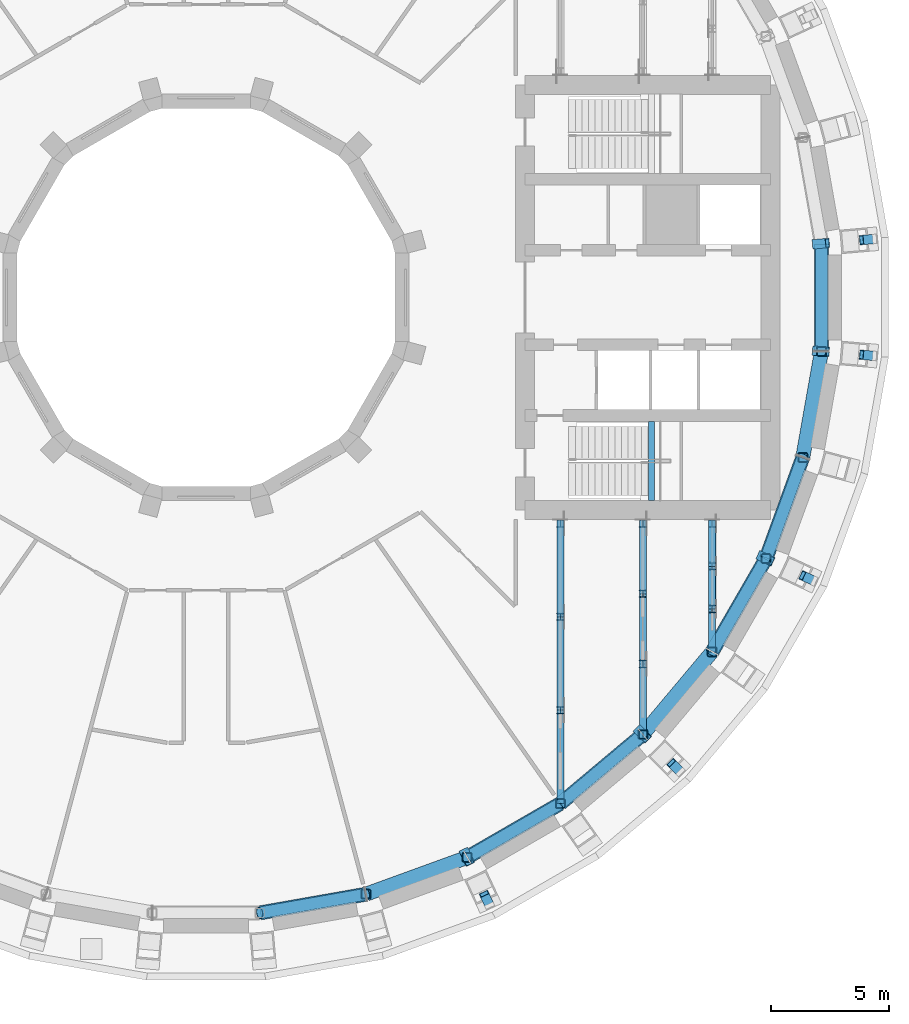
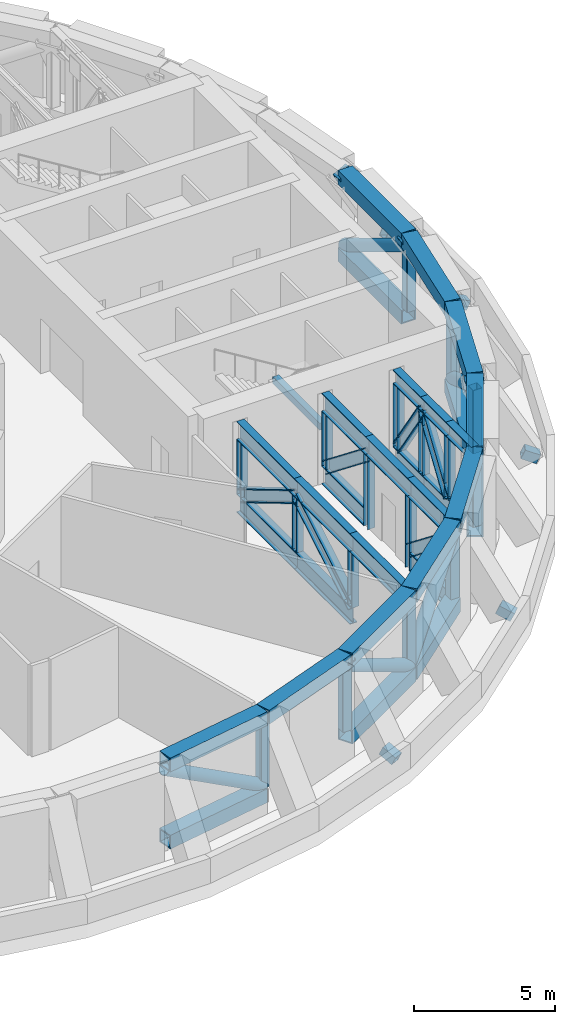
# One storey, part 3 of 19: 59 members, 11 beams.
"""IFC4 building model written with IfcOpenShell, lengths in metres."""

from ifc_helpers import new_model, si_unit, direction, frame, origin, origin_2d, place, context, subcontext, project, spatial, rectangle, hollow_rectangle, hollow_circle, i_section, extrude, material, material_profile, profile_set, type_object, element, save


model = new_model("IFC4")

# Units and contexts
model_context = context("Model", 3, precision=1e-05, world=origin(), true_north=direction((0.0, 1.0)))
body_context = subcontext(model_context, "Body", "Model", "MODEL_VIEW")
ifc_project = project(units=[si_unit("LENGTHUNIT", "METRE"), si_unit("AREAUNIT", "SQUARE_METRE"), si_unit("VOLUMEUNIT", "CUBIC_METRE"), si_unit("PLANEANGLEUNIT", "RADIAN"), si_unit("MASSUNIT", "GRAM", prefix="KILO")], contexts=[model_context])

# Site, building, storey
site_placement = place(None, origin())
site = spatial("IfcSite", under=ifc_project, at=site_placement, CompositionType="ELEMENT")
building_placement = place(site_placement, origin())
building = spatial("IfcBuilding", under=site, at=building_placement, Name="Saqina Gate Tower", CompositionType="ELEMENT")
storey_placement = place(building_placement, frame((0.0, 0.0, 82.39990234375)))
storey = spatial("IfcBuildingStorey", under=building, at=storey_placement, Name="L23", CompositionType="ELEMENT", Elevation=82.39990234375)

# Beam
ifc_material_1 = material(Name="Concrete C40/50", Category="concrete")
ifc_material_profile_1 = material_profile(ifc_material_1, rectangle(XDim=0.25, YDim=0.300048828125, at=origin_2d()), Name="STAIR LANDING BEAM")
ifc_profile_set_1 = profile_set([ifc_material_profile_1], Name="Concrete C40/50")
beam_type_1 = type_object("IfcBeamType", Name="STAIR LANDING BEAM", PredefinedType="BEAM", material=ifc_profile_set_1)
beam_placement = place(storey_placement, frame((18.860107421875, -8.60009765625, 1.85009765625), z_axis=(0.0, 1.0, 0.0), x_axis=(-1.0, 0.0, 0.0)))
element("IfcBeam", 1, at=beam_placement, inside=storey, type_object=beam_type_1, Name="EXIT STAIR 2 LANDING BEAM", PredefinedType="BEAM", context=body_context, shape_type="SweptSolid", body=[
    extrude(rectangle(XDim=0.25, YDim=0.300048828125, at=origin_2d()), origin(), (0.0, 0.0, 1.0), 3.35009765625),
])

# Members
ifc_material_2 = material(Name="Steel S460", Category="steel")
ifc_material_profile_2 = material_profile(ifc_material_2, hollow_rectangle(XDim=0.60009765625, YDim=0.60009765625, WallThickness=0.050048828125, at=origin_2d()), Name="BOX 600x600x50")
ifc_profile_set_2 = profile_set([ifc_material_profile_2], Name="Steel S460")
member_type_1 = type_object("IfcMemberType", Name="STR-BELT TRUSS L23 CHORD-BOX 600x600x50", PredefinedType="CHORD", material=ifc_profile_set_2)
for number, where, z_axis, x_axis, name in (
    (2, (2.304931640625, -26.0458984375, 0.300048828125), (0.984805370364, 0.173661689795, 0.0), (-0.173661689795, 0.984805370364, 0.0), "BELT TRUSS L23 CHORD 064"),
    (3, (2.304931640625, -26.0458984375, 3.650146484375), (0.984805370364, 0.173661689795, 0.0), (-0.173661689795, 0.984805370364, 0.0), "BELT TRUSS L23 CHORD 065"),
):
    element("IfcMember", number, at=place(storey_placement, frame(where, z_axis=z_axis, x_axis=x_axis)), inside=storey, type_object=member_type_1, Name=name, PredefinedType="CHORD", context=body_context, shape_type="SweptSolid", body=[
        extrude(hollow_rectangle(XDim=0.60009765625, YDim=0.60009765625, WallThickness=0.050048828125, at=origin_2d()), origin(), (0.0, 0.0, 1.0), 4.505615234375),
    ])
for number, where, z_axis, x_axis, name in (
    (4, (6.792724609375, -25.25, 3.650146484375), (0.939698467841, 0.342004078246, 0.0), (-0.342004078246, 0.939698467841, 0.0), "BELT TRUSS L23 CHORD 067"),
    (5, (11.07421875, -23.686767578125, 0.300048828125), (0.866020461467, 0.500008560247, 0.0), (-0.500008560247, 0.866020461467, 0.0), "BELT TRUSS L23 CHORD 068"),
    (6, (11.07421875, -23.686767578125, 3.650146484375), (0.866020461467, 0.500008560247, 0.0), (-0.500008560247, 0.866020461467, 0.0), "BELT TRUSS L23 CHORD 069"),
    (7, (15.01904296875, -21.404052734375, 0.300048828125), (0.766049527971, 0.642781549747, 0.0), (-0.642781549747, 0.766049527971, 0.0), "BELT TRUSS L23 CHORD 071"),
    (8, (15.01904296875, -21.404052734375, 3.650146484375), (0.766049527971, 0.642781549747, 0.0), (-0.642781549747, 0.766049527971, 0.0), "BELT TRUSS L23 CHORD 072"),
    (9, (18.5078125, -18.470703125, 3.650146484375), (0.642781549747, 0.766049527971, 0.0), (-0.766049527971, 0.642781549747, 0.0), "BELT TRUSS L23 CHORD 074"),
    (10, (21.433837890625, -14.976318359375, 0.300048828125), (0.500008560247, 0.866020461467, 0.0), (-0.866020461467, 0.500008560247, 0.0), "BELT TRUSS L23 CHORD 075"),
    (11, (21.433837890625, -14.976318359375, 3.650146484375), (0.500008560247, 0.866020461467, 0.0), (-0.866020461467, 0.500008560247, 0.0), "BELT TRUSS L23 CHORD 076"),
    (12, (23.708984375, -11.02685546875, 0.300048828125), (0.342004078246, 0.939698467841, 0.0), (-0.939698467841, 0.342004078246, 0.0), "BELT TRUSS L23 CHORD 078"),
    (13, (23.708984375, -11.02685546875, 3.650146484375), (0.342004078246, 0.939698467841, 0.0), (-0.939698467841, 0.342004078246, 0.0), "BELT TRUSS L23 CHORD 079"),
):
    element("IfcMember", number, at=place(storey_placement, frame(where, z_axis=z_axis, x_axis=x_axis)), inside=storey, type_object=member_type_1, Name=name, PredefinedType="CHORD", context=body_context, shape_type="SweptSolid", body=[
        extrude(hollow_rectangle(XDim=0.60009765625, YDim=0.60009765625, WallThickness=0.050048828125, at=origin_2d()), origin(), (0.0, 0.0, 1.0), 4.505859375),
    ])
member_1_placement = place(storey_placement, frame((25.263427734375, -6.7421875, 3.650146484375), z_axis=(0.173661689795, 0.984805370364, 0.0), x_axis=(-0.984805370364, 0.173661689795, 0.0)))
element("IfcMember", 14, at=member_1_placement, inside=storey, type_object=member_type_1, Name="BELT TRUSS L23 CHORD 081", PredefinedType="CHORD", context=body_context, shape_type="SweptSolid", body=[
    extrude(hollow_rectangle(XDim=0.60009765625, YDim=0.60009765625, WallThickness=0.050048828125, at=origin_2d()), origin(), (0.0, 0.0, 1.0), 4.505615234375),
])
for number, where, z_axis, x_axis, name in (
    (15, (26.050537109375, -2.2529296875, 0.300048828125), (0.0, 1.0, 0.0), (-1.0, 0.0, 0.0), "BELT TRUSS L23 CHORD 082"),
    (16, (26.050537109375, -2.2529296875, 3.650146484375), (0.0, 1.0, 0.0), (-1.0, 0.0, 0.0), "BELT TRUSS L23 CHORD 083"),
):
    element("IfcMember", number, at=place(storey_placement, frame(where, z_axis=z_axis, x_axis=x_axis)), inside=storey, type_object=member_type_1, Name=name, PredefinedType="CHORD", context=body_context, shape_type="SweptSolid", body=[
        extrude(hollow_rectangle(XDim=0.60009765625, YDim=0.60009765625, WallThickness=0.050048828125, at=origin_2d()), origin(), (0.0, 0.0, 1.0), 4.505859375),
    ])
ifc_material_3 = material(Name="Steel S460", Category="steel")
ifc_material_profile_3 = material_profile(ifc_material_3, hollow_circle(Radius=0.25390625, WallThickness=0.02001953125, at=origin_2d()), Name="CHS 508x20")
ifc_profile_set_3 = profile_set([ifc_material_profile_3], Name="Steel S460")
member_type_2 = type_object("IfcMemberType", Name="STR-BELT TRUSS L23 DIAGONAL-CHS 508x20", PredefinedType="BRACE", material=ifc_profile_set_3)
for number, where, z_axis, x_axis, name in (
    (17, (2.26904296875, -26.05224609375, 3.356201171875), (0.843251056415, 0.148698900419, -0.516542634125), (-0.173660622851, 0.984805558509, 0.0), "BELT TRUSS L23 DIAGONAL 066"),
    (18, (11.04248046875, -23.705078125, 3.356201171875), (0.741545438674, 0.428116708438, -0.516552462329), (-0.499987080147, 0.866032862936, 0.0), "BELT TRUSS L23 DIAGONAL 070"),
):
    element("IfcMember", number, at=place(storey_placement, frame(where, z_axis=z_axis, x_axis=x_axis)), inside=storey, type_object=member_type_2, Name=name, PredefinedType="BRACE", context=body_context, shape_type="SweptSolid", body=[
        extrude(hollow_circle(Radius=0.25390625, WallThickness=0.02001953125, at=origin_2d()), origin(), (0.0, 0.0, 1.0), 5.347412109375),
    ])
member_2_placement = place(storey_placement, frame((14.9912109375, -21.427490234375, 0.593994140625), z_axis=(0.655921811524, 0.550413681334, 0.51653785589), x_axis=(-0.642808122223, 0.766027230589, 0.0)))
element("IfcMember", 19, at=member_2_placement, inside=storey, type_object=member_type_2, Name="BELT TRUSS L23 DIAGONAL 073", PredefinedType="BRACE", context=body_context, shape_type="SweptSolid", body=[
    extrude(hollow_circle(Radius=0.25390625, WallThickness=0.02001953125, at=origin_2d()), origin(), (0.0, 0.0, 1.0), 5.34765625),
])
member_3_placement = place(storey_placement, frame((21.415771484375, -15.0078125, 0.593994140625), z_axis=(0.428116708438, 0.741545438674, 0.516552462329), x_axis=(-0.866032862936, 0.499987080147, 0.0)))
element("IfcMember", 20, at=member_3_placement, inside=storey, type_object=member_type_2, Name="BELT TRUSS L23 DIAGONAL 077", PredefinedType="BRACE", context=body_context, shape_type="SweptSolid", body=[
    extrude(hollow_circle(Radius=0.25390625, WallThickness=0.02001953125, at=origin_2d()), origin(), (0.0, 0.0, 1.0), 5.347412109375),
])
for number, where, z_axis, x_axis, name in (
    (21, (23.696533203125, -11.06103515625, 3.356201171875), (0.292844315993, 0.804614184713, -0.516563858926), (-0.939696861171, 0.34200849274, 0.0), "BELT TRUSS L23 DIAGONAL 080"),
    (22, (26.050537109375, -2.289306640625, 3.356201171875), (0.0, 0.856249638459, -0.516562248562), (-1.0, 0.0, 0.0), "BELT TRUSS L23 DIAGONAL 084"),
):
    element("IfcMember", number, at=place(storey_placement, frame(where, z_axis=z_axis, x_axis=x_axis)), inside=storey, type_object=member_type_2, Name=name, PredefinedType="BRACE", context=body_context, shape_type="SweptSolid", body=[
        extrude(hollow_circle(Radius=0.25390625, WallThickness=0.02001953125, at=origin_2d()), origin(), (0.0, 0.0, 1.0), 5.34716796875),
    ])
ifc_material_4 = material(Name="Steel S460", Category="steel")
ifc_material_profile_4 = material_profile(ifc_material_4, hollow_rectangle(XDim=0.39990234375, YDim=0.39990234375, WallThickness=0.02001953125, InnerFilletRadius=0.0400390625, OuterFilletRadius=0.06005859375, at=origin_2d()), Name="SHS 400x400x20")
ifc_profile_set_4 = profile_set([ifc_material_profile_4], Name="Steel S460")
member_type_3 = type_object("IfcMemberType", Name="STR-BELT TRUSS L23 POST-SHS 400x400x20", PredefinedType="POST", material=ifc_profile_set_4)
for number, where, z_axis, x_axis, name in (
    (23, (6.76806640625, -25.259033203125, 0.60009765625), (0.0, 0.0, 1.0), (1.0, 0.0, 0.0), "BELT TRUSS L23 POST 112"),
    (24, (11.051513671875, -23.699951171875, 0.60009765625), (0.0, 0.0, 1.0), (1.0, 0.0, 0.0), "BELT TRUSS L23 POST 113"),
    (25, (14.9990234375, -21.4208984375, 0.60009765625), (0.0, 0.0, 1.0), (1.0, 0.0, 0.0), "BELT TRUSS L23 POST 114"),
    (26, (18.49072265625, -18.49072265625, 0.60009765625), (0.0, 0.0, 1.0), (1.0, 0.0, 0.0), "BELT TRUSS L23 POST 115"),
    (27, (21.4208984375, -14.9990234375, 0.60009765625), (0.0, 0.0, 1.0), (1.0, 0.0, 0.0), "BELT TRUSS L23 POST 116"),
    (28, (23.699951171875, -11.051513671875, 0.60009765625), (0.0, 0.0, 1.0), (1.0, 0.0, 0.0), "BELT TRUSS L23 POST 117"),
    (29, (25.259033203125, -6.76806640625, 0.60009765625), (0.0, 0.0, 1.0), (1.0, 0.0, 0.0), "BELT TRUSS L23 POST 118"),
    (30, (26.050537109375, -2.279052734375, 0.60009765625), (0.0, 0.0, 1.0), (1.0, 0.0, 0.0), "BELT TRUSS L23 POST 119"),
):
    element("IfcMember", number, at=place(storey_placement, frame(where, z_axis=z_axis, x_axis=x_axis)), inside=storey, type_object=member_type_3, Name=name, PredefinedType="POST", context=body_context, shape_type="SweptSolid", body=[
        extrude(hollow_rectangle(XDim=0.39990234375, YDim=0.39990234375, WallThickness=0.02001953125, InnerFilletRadius=0.0400390625, OuterFilletRadius=0.06005859375, at=origin_2d()), origin(), (0.0, 0.0, 1.0), 2.75),
    ])

# Beams
ifc_material_5 = material(Name="Steel S460", Category="steel")
ifc_material_profile_5 = material_profile(ifc_material_5, hollow_rectangle(XDim=0.39990234375, YDim=0.39990234375, WallThickness=0.030029296875, at=origin_2d()), Name="BOX 400x400x30")
ifc_profile_set_5 = profile_set([ifc_material_profile_5], Name="Steel S460")
beam_type_2 = type_object("IfcBeamType", Name="STR-NODE TIE BEAM L23-BOX 400x400x30", PredefinedType="BEAM", material=ifc_profile_set_5)
for number, where, z_axis, x_axis, name in (
    (31, (28.2919921875, 2.475341796875, 0.18212890625), (-0.906411527523, -0.079573561017, 0.414832726723), (0.087453305759, -0.996168619919, 0.0), "NODE TIE BEAM L23 01 FOOT"),
    (32, (25.751708984375, 2.2529296875, 3.517333984375), (0.906411527523, 0.079573561017, 0.414832726723), (-0.087453305759, 0.996168619919, 0.0), "NODE TIE BEAM L23 01 HEAD"),
    (33, (12.00244140625, -25.7392578125, 0.18212890625), (-0.384484184664, 0.824702421307, 0.414774430305), (-0.906341825437, -0.42254525848, 0.0), "NODE TIE BEAM L23 30 FOOT"),
    (34, (10.9248046875, -23.427978515625, 3.517333984375), (0.384484184664, -0.824702421307, 0.414774430305), (0.906341825437, 0.42254525848, 0.0), "NODE TIE BEAM L23 30 HEAD"),
    (35, (20.081787109375, -20.081787109375, 0.18212890625), (-0.643405223047, 0.643405223047, 0.414800479642), (-0.707106781187, -0.707106781187, 0.0), "NODE TIE BEAM L23 32 FOOT"),
    (36, (18.27880859375, -18.27880859375, 3.517333984375), (0.643405223047, -0.643405223047, 0.414800479642), (0.707106781187, 0.707106781187, 0.0), "NODE TIE BEAM L23 32 HEAD"),
    (37, (25.7392578125, -12.00244140625, 0.18212890625), (-0.824702421307, 0.384484184664, 0.414774430305), (-0.42254525848, -0.906341825437, 0.0), "NODE TIE BEAM L23 34 FOOT"),
    (38, (23.427978515625, -10.9248046875, 3.517333984375), (0.824702421307, -0.384484184664, 0.414774430305), (0.42254525848, 0.906341825437, 0.0), "NODE TIE BEAM L23 34 HEAD"),
    (39, (28.2919921875, -2.475341796875, 0.18212890625), (-0.906411527523, 0.079573561017, 0.414832726723), (-0.087453305759, -0.996168619919, 0.0), "NODE TIE BEAM L23 36 FOOT"),
    (40, (25.751708984375, -2.2529296875, 3.517333984375), (0.906411527523, -0.079573561017, 0.414832726723), (0.087453305759, 0.996168619919, 0.0), "NODE TIE BEAM L23 36 HEAD"),
):
    element("IfcBeam", number, at=place(storey_placement, frame(where, z_axis=z_axis, x_axis=x_axis)), inside=storey, type_object=beam_type_2, Name=name, PredefinedType="BEAM", context=body_context, shape_type="SweptSolid", body=[
        extrude(hollow_rectangle(XDim=0.39990234375, YDim=0.39990234375, WallThickness=0.030029296875, at=origin_2d()), origin(), (0.0, 0.0, 1.0), 0.6044921875),
    ])

# Members
ifc_material_6 = material(Name="Steel S460", Category="steel")
ifc_material_profile_6 = material_profile(ifc_material_6, i_section(OverallWidth=0.304931640625, OverallDepth=0.6201171875, WebThickness=0.02099609375, FlangeThickness=0.0400390625, FilletRadius=0.027099609375, at=origin_2d()), Name="HE 600 M")
ifc_profile_set_6 = profile_set([ifc_material_profile_6], Name="Steel S460")
member_type_4 = type_object("IfcMemberType", Name="STR-OUTRIGGER TRUSS L23 CHORD-HE 600 M", PredefinedType="CHORD", material=ifc_profile_set_6)
for number, where, z_axis, x_axis, name in (
    (41, (21.4208984375, -9.41796875, 0.31005859375), (0.0, -1.0, 0.0), (1.0, 0.0, 0.0), "OUTRIGGER TRUSS L23 CHORD 130"),
    (42, (21.4208984375, -9.41796875, 3.64013671875), (0.0, -1.0, 0.0), (1.0, 0.0, 0.0), "OUTRIGGER TRUSS L23 CHORD 131"),
):
    element("IfcMember", number, at=place(storey_placement, frame(where, z_axis=z_axis, x_axis=x_axis)), inside=storey, type_object=member_type_4, Name=name, PredefinedType="CHORD", context=body_context, shape_type="SweptSolid", body=[
        extrude(i_section(OverallWidth=0.304931640625, OverallDepth=0.6201171875, WebThickness=0.02099609375, FlangeThickness=0.0400390625, FilletRadius=0.027099609375, at=origin_2d()), origin(), (0.0, 0.0, 1.0), 1.96044921875),
    ])
for number, where, z_axis, x_axis, name in (
    (43, (21.4208984375, -11.37841796875, 0.31005859375), (0.0, -1.0, 0.0), (1.0, 0.0, 0.0), "OUTRIGGER TRUSS L23 CHORD 133"),
    (44, (21.4208984375, -11.37841796875, 3.64013671875), (0.0, -1.0, 0.0), (1.0, 0.0, 0.0), "OUTRIGGER TRUSS L23 CHORD 134"),
    (45, (21.4208984375, -13.188720703125, 3.64013671875), (0.0, -1.0, 0.0), (1.0, 0.0, 0.0), "OUTRIGGER TRUSS L23 CHORD 136"),
):
    element("IfcMember", number, at=place(storey_placement, frame(where, z_axis=z_axis, x_axis=x_axis)), inside=storey, type_object=member_type_4, Name=name, PredefinedType="CHORD", context=body_context, shape_type="SweptSolid", body=[
        extrude(i_section(OverallWidth=0.304931640625, OverallDepth=0.6201171875, WebThickness=0.02099609375, FlangeThickness=0.0400390625, FilletRadius=0.027099609375, at=origin_2d()), origin(), (0.0, 0.0, 1.0), 1.810302734375),
    ])
ifc_material_7 = material(Name="Steel S460", Category="steel")
ifc_material_profile_7 = material_profile(ifc_material_7, i_section(OverallWidth=0.306884765625, OverallDepth=0.431884765625, WebThickness=0.02099609375, FlangeThickness=0.0400390625, FilletRadius=0.027099609375, at=origin_2d()), Name="HE 400 M")
ifc_profile_set_7 = profile_set([ifc_material_profile_7], Name="Steel S460")
member_type_5 = type_object("IfcMemberType", Name="STR-OUTRIGGER TRUSS L23 DIAGONAL-HE 400 M", PredefinedType="BRACE", material=ifc_profile_set_7)
for number, where, z_axis, x_axis, name in (
    (46, (21.4208984375, -9.561279296875, 0.610107421875), (0.0, -0.555489335201, 0.831523660805), (1.0, 0.0, 0.0), "OUTRIGGER TRUSS L23 DIAGONAL 132"),
    (47, (21.4208984375, -11.37158203125, 3.340087890625), (0.0, -0.555489335201, -0.831523660805), (1.0, 0.0, 0.0), "OUTRIGGER TRUSS L23 DIAGONAL 135"),
):
    element("IfcMember", number, at=place(storey_placement, frame(where, z_axis=z_axis, x_axis=x_axis)), inside=storey, type_object=member_type_5, Name=name, PredefinedType="BRACE", context=body_context, shape_type="SweptSolid", body=[
        extrude(i_section(OverallWidth=0.306884765625, OverallDepth=0.431884765625, WebThickness=0.02099609375, FlangeThickness=0.0400390625, FilletRadius=0.027099609375, at=origin_2d()), origin(), (0.0, 0.0, 1.0), 3.283203125),
    ])
ifc_material_8 = material(Name="Steel S460", Category="steel")
ifc_material_profile_8 = material_profile(ifc_material_8, i_section(OverallWidth=0.300048828125, OverallDepth=0.800048828125, WebThickness=0.017578125, FlangeThickness=0.032958984375, FilletRadius=0.030029296875, at=origin_2d()), Name="HE 800 B")
ifc_profile_set_8 = profile_set([ifc_material_profile_8], Name="Steel S460")
member_type_6 = type_object("IfcMemberType", Name="STR-OUTRIGGER TRUSS L23 LONG CHORD-HE 800 B", PredefinedType="CHORD", material=ifc_profile_set_8)
member_4_placement = place(storey_placement, frame((18.49072265625, -9.41796875, 0.400146484375), z_axis=(0.0, -1.0, 0.0), x_axis=(1.0, 0.0, 0.0)))
element("IfcMember", 48, at=member_4_placement, inside=storey, type_object=member_type_6, Name="OUTRIGGER TRUSS L23 LONG CHORD 170", PredefinedType="CHORD", context=body_context, shape_type="SweptSolid", body=[
    extrude(i_section(OverallWidth=0.300048828125, OverallDepth=0.800048828125, WebThickness=0.017578125, FlangeThickness=0.032958984375, FilletRadius=0.030029296875, at=origin_2d()), origin(), (0.0, 0.0, 1.0), 2.974365234375),
])
member_5_placement = place(storey_placement, frame((18.49072265625, -9.41796875, 3.550048828125), z_axis=(0.0, -1.0, 0.0), x_axis=(1.0, 0.0, 0.0)))
element("IfcMember", 49, at=member_5_placement, inside=storey, type_object=member_type_6, Name="OUTRIGGER TRUSS L23 LONG CHORD 171", PredefinedType="CHORD", context=body_context, shape_type="SweptSolid", body=[
    extrude(i_section(OverallWidth=0.300048828125, OverallDepth=0.800048828125, WebThickness=0.017578125, FlangeThickness=0.032958984375, FilletRadius=0.030029296875, at=origin_2d()), origin(), (0.0, 0.0, 1.0), 3.124267578125),
])
member_6_placement = place(storey_placement, frame((18.49072265625, -15.66650390625, 0.400146484375), z_axis=(0.0, -1.0, 0.0), x_axis=(1.0, 0.0, 0.0)))
element("IfcMember", 50, at=member_6_placement, inside=storey, type_object=member_type_6, Name="OUTRIGGER TRUSS L23 LONG CHORD 173", PredefinedType="CHORD", context=body_context, shape_type="SweptSolid", body=[
    extrude(i_section(OverallWidth=0.300048828125, OverallDepth=0.800048828125, WebThickness=0.017578125, FlangeThickness=0.032958984375, FilletRadius=0.030029296875, at=origin_2d()), origin(), (0.0, 0.0, 1.0), 2.82421875),
])
member_7_placement = place(storey_placement, frame((18.49072265625, -15.5166015625, 3.550048828125), z_axis=(0.0, -1.0, 0.0), x_axis=(1.0, 0.0, 0.0)))
element("IfcMember", 51, at=member_7_placement, inside=storey, type_object=member_type_6, Name="OUTRIGGER TRUSS L23 LONG CHORD 174", PredefinedType="CHORD", context=body_context, shape_type="SweptSolid", body=[
    extrude(i_section(OverallWidth=0.300048828125, OverallDepth=0.800048828125, WebThickness=0.017578125, FlangeThickness=0.032958984375, FilletRadius=0.030029296875, at=origin_2d()), origin(), (0.0, 0.0, 1.0), 2.97412109375),
])
member_8_placement = place(storey_placement, frame((18.49072265625, -12.542236328125, 3.550048828125), z_axis=(0.0, -1.0, 0.0), x_axis=(1.0, 0.0, 0.0)))
element("IfcMember", 52, at=member_8_placement, inside=storey, type_object=member_type_6, Name="OUTRIGGER TRUSS L23 LONG CHORD 176", PredefinedType="CHORD", context=body_context, shape_type="SweptSolid", body=[
    extrude(i_section(OverallWidth=0.300048828125, OverallDepth=0.800048828125, WebThickness=0.017578125, FlangeThickness=0.032958984375, FilletRadius=0.030029296875, at=origin_2d()), origin(), (0.0, 0.0, 1.0), 2.974365234375),
])
for number, where, z_axis, x_axis, name in (
    (53, (14.9990234375, -9.41796875, 0.400146484375), (0.0, -1.0, 0.0), (1.0, 0.0, 0.0), "OUTRIGGER TRUSS L23 LONG CHORD 210"),
    (54, (14.9990234375, -9.41796875, 3.550048828125), (0.0, -1.0, 0.0), (1.0, 0.0, 0.0), "OUTRIGGER TRUSS L23 LONG CHORD 211"),
):
    element("IfcMember", number, at=place(storey_placement, frame(where, z_axis=z_axis, x_axis=x_axis)), inside=storey, type_object=member_type_6, Name=name, PredefinedType="CHORD", context=body_context, shape_type="SweptSolid", body=[
        extrude(i_section(OverallWidth=0.300048828125, OverallDepth=0.800048828125, WebThickness=0.017578125, FlangeThickness=0.032958984375, FilletRadius=0.030029296875, at=origin_2d()), origin(), (0.0, 0.0, 1.0), 4.10107421875),
    ])
for number, where, z_axis, x_axis, name in (
    (55, (14.9990234375, -13.51904296875, 0.400146484375), (0.0, -1.0, 0.0), (1.0, 0.0, 0.0), "OUTRIGGER TRUSS L23 LONG CHORD 213"),
    (56, (14.9990234375, -13.51904296875, 3.550048828125), (0.0, -1.0, 0.0), (1.0, 0.0, 0.0), "OUTRIGGER TRUSS L23 LONG CHORD 214"),
    (57, (14.9990234375, -17.469970703125, 3.550048828125), (0.0, -1.0, 0.0), (1.0, 0.0, 0.0), "OUTRIGGER TRUSS L23 LONG CHORD 216"),
):
    element("IfcMember", number, at=place(storey_placement, frame(where, z_axis=z_axis, x_axis=x_axis)), inside=storey, type_object=member_type_6, Name=name, PredefinedType="CHORD", context=body_context, shape_type="SweptSolid", body=[
        extrude(i_section(OverallWidth=0.300048828125, OverallDepth=0.800048828125, WebThickness=0.017578125, FlangeThickness=0.032958984375, FilletRadius=0.030029296875, at=origin_2d()), origin(), (0.0, 0.0, 1.0), 3.950927734375),
    ])
ifc_material_9 = material(Name="Steel S460", Category="steel")
ifc_material_profile_9 = material_profile(ifc_material_9, i_section(OverallWidth=0.305908203125, OverallDepth=0.52392578125, WebThickness=0.02099609375, FlangeThickness=0.0400390625, FilletRadius=0.027099609375, at=origin_2d()), Name="HE 500 M")
ifc_profile_set_9 = profile_set([ifc_material_profile_9], Name="Steel S460")
member_type_7 = type_object("IfcMemberType", Name="STR-OUTRIGGER TRUSS L23 LONG DIAGONAL-HE 500 M", PredefinedType="BRACE", material=ifc_profile_set_9)
for number, where, z_axis, x_axis, name in (
    (58, (18.49072265625, -9.55859375, 0.792724609375), (0.0, -0.784663187604, 0.619922319342), (1.0, 0.0, 0.0), "OUTRIGGER TRUSS L23 LONG DIAGONAL 172"),
    (59, (18.49072265625, -15.507080078125, 0.792724609375), (0.0, -0.784663187604, 0.619922319342), (1.0, 0.0, 0.0), "OUTRIGGER TRUSS L23 LONG DIAGONAL 175"),
):
    element("IfcMember", number, at=place(storey_placement, frame(where, z_axis=z_axis, x_axis=x_axis)), inside=storey, type_object=member_type_7, Name=name, PredefinedType="BRACE", context=body_context, shape_type="SweptSolid", body=[
        extrude(i_section(OverallWidth=0.305908203125, OverallDepth=0.52392578125, WebThickness=0.02099609375, FlangeThickness=0.0400390625, FilletRadius=0.027099609375, at=origin_2d()), origin(), (0.0, 0.0, 1.0), 3.814697265625),
    ])
for number, where, z_axis, x_axis, name in (
    (60, (14.9990234375, -9.5576171875, 0.7939453125), (0.0, -0.859463118365, 0.511197758378), (1.0, 0.0, 0.0), "OUTRIGGER TRUSS L23 LONG DIAGONAL 212"),
    (61, (14.9990234375, -13.508544921875, 3.15625), (0.0, -0.859463118365, -0.511197758378), (1.0, 0.0, 0.0), "OUTRIGGER TRUSS L23 LONG DIAGONAL 215"),
):
    element("IfcMember", number, at=place(storey_placement, frame(where, z_axis=z_axis, x_axis=x_axis)), inside=storey, type_object=member_type_7, Name=name, PredefinedType="BRACE", context=body_context, shape_type="SweptSolid", body=[
        extrude(i_section(OverallWidth=0.305908203125, OverallDepth=0.52392578125, WebThickness=0.02099609375, FlangeThickness=0.0400390625, FilletRadius=0.027099609375, at=origin_2d()), origin(), (0.0, 0.0, 1.0), 4.62109375),
    ])
ifc_material_10 = material(Name="Steel S460", Category="steel")
ifc_material_profile_10 = material_profile(ifc_material_10, i_section(OverallWidth=0.300048828125, OverallDepth=0.300048828125, WebThickness=0.010986328125, FlangeThickness=0.01904296875, FilletRadius=0.027099609375, at=origin_2d()), Name="HE 300 B")
ifc_profile_set_10 = profile_set([ifc_material_profile_10], Name="Steel S460")
member_type_8 = type_object("IfcMemberType", Name="STR-OUTRIGGER TRUSS L23 LONG POST-HE 300 B", PredefinedType="POST", material=ifc_profile_set_10)
member_9_placement = place(storey_placement, frame((18.49072265625, -9.568115234375, 0.800048828125), z_axis=(0.0, 0.0, 1.0), x_axis=(1.0, 0.0, 0.0)))
element("IfcMember", 62, at=member_9_placement, inside=storey, type_object=member_type_8, Name="OUTRIGGER TRUSS L23 LONG POST 177", PredefinedType="POST", context=body_context, shape_type="SweptSolid", body=[
    extrude(i_section(OverallWidth=0.300048828125, OverallDepth=0.300048828125, WebThickness=0.010986328125, FlangeThickness=0.01904296875, FilletRadius=0.027099609375, at=origin_2d()), origin(), (0.0, 0.0, 1.0), 2.35009765625),
])
for number, where, z_axis, x_axis, name in (
    (63, (18.49072265625, -12.542236328125, 0.0), (0.0, 0.0, 1.0), (1.0, 0.0, 0.0), "OUTRIGGER TRUSS L23 LONG POST 178"),
    (64, (18.49072265625, -15.5166015625, 0.0), (0.0, 0.0, 1.0), (1.0, 0.0, 0.0), "OUTRIGGER TRUSS L23 LONG POST 179"),
):
    element("IfcMember", number, at=place(storey_placement, frame(where, z_axis=z_axis, x_axis=x_axis)), inside=storey, type_object=member_type_8, Name=name, PredefinedType="POST", context=body_context, shape_type="SweptSolid", body=[
        extrude(i_section(OverallWidth=0.300048828125, OverallDepth=0.300048828125, WebThickness=0.010986328125, FlangeThickness=0.01904296875, FilletRadius=0.027099609375, at=origin_2d()), origin(), (0.0, 0.0, 1.0), 3.150146484375),
    ])
for number, where, z_axis, x_axis, name in (
    (65, (14.9990234375, -9.568115234375, 0.800048828125), (0.0, 0.0, 1.0), (1.0, 0.0, 0.0), "OUTRIGGER TRUSS L23 LONG POST 217"),
    (66, (14.9990234375, -13.51904296875, 0.800048828125), (0.0, 0.0, 1.0), (1.0, 0.0, 0.0), "OUTRIGGER TRUSS L23 LONG POST 218"),
    (67, (14.9990234375, -17.469970703125, 0.800048828125), (0.0, 0.0, 1.0), (1.0, 0.0, 0.0), "OUTRIGGER TRUSS L23 LONG POST 219"),
):
    element("IfcMember", number, at=place(storey_placement, frame(where, z_axis=z_axis, x_axis=x_axis)), inside=storey, type_object=member_type_8, Name=name, PredefinedType="POST", context=body_context, shape_type="SweptSolid", body=[
        extrude(i_section(OverallWidth=0.300048828125, OverallDepth=0.300048828125, WebThickness=0.010986328125, FlangeThickness=0.01904296875, FilletRadius=0.027099609375, at=origin_2d()), origin(), (0.0, 0.0, 1.0), 2.35009765625),
    ])
ifc_material_11 = material(Name="Steel S460", Category="steel")
ifc_material_profile_11 = material_profile(ifc_material_11, i_section(OverallWidth=0.300048828125, OverallDepth=0.300048828125, WebThickness=0.010986328125, FlangeThickness=0.01904296875, FilletRadius=0.027099609375, at=origin_2d()), Name="HE 300 B")
ifc_profile_set_11 = profile_set([ifc_material_profile_11], Name="Steel S460")
member_type_9 = type_object("IfcMemberType", Name="STR-OUTRIGGER TRUSS L23 POST-HE 300 B", PredefinedType="POST", material=ifc_profile_set_11)
for number, where, z_axis, x_axis, name in (
    (68, (21.4208984375, -9.568115234375, 0.6201171875), (0.0, 0.0, 1.0), (1.0, 0.0, 0.0), "OUTRIGGER TRUSS L23 POST 137"),
    (69, (21.4208984375, -11.37841796875, 0.6201171875), (0.0, 0.0, 1.0), (1.0, 0.0, 0.0), "OUTRIGGER TRUSS L23 POST 138"),
    (70, (21.4208984375, -13.188720703125, 0.6201171875), (0.0, 0.0, 1.0), (1.0, 0.0, 0.0), "OUTRIGGER TRUSS L23 POST 139"),
):
    element("IfcMember", number, at=place(storey_placement, frame(where, z_axis=z_axis, x_axis=x_axis)), inside=storey, type_object=member_type_9, Name=name, PredefinedType="POST", context=body_context, shape_type="SweptSolid", body=[
        extrude(i_section(OverallWidth=0.300048828125, OverallDepth=0.300048828125, WebThickness=0.010986328125, FlangeThickness=0.01904296875, FilletRadius=0.027099609375, at=origin_2d()), origin(), (0.0, 0.0, 1.0), 2.7099609375),
    ])

save(model, "model.ifc")
